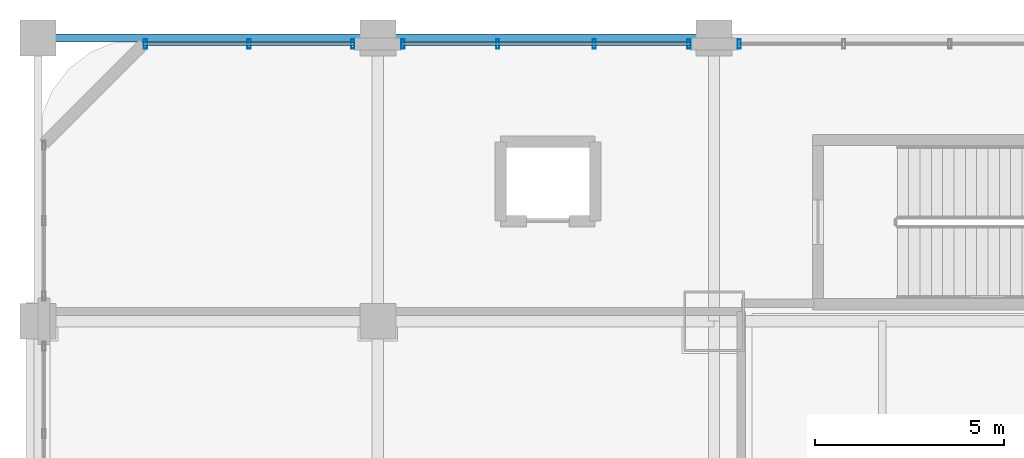
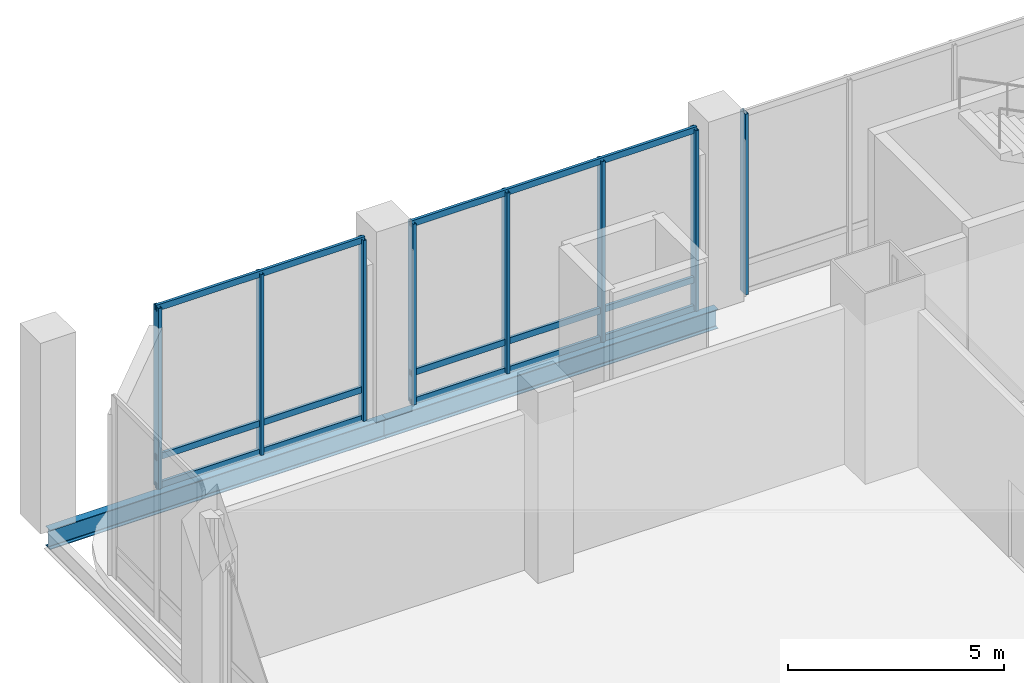
# One storey, part 13 of 39: 14 members, 2 beams, 3 elements without a shape of their own.
"""IFC4 building model written with IfcOpenShell, lengths in metres."""

from ifc_helpers import new_model, si_unit, direction, frame, origin, origin_2d, place, context, subcontext, project, spatial, hollow_rectangle, i_section, extrude, material, material_profile, profile_set, type_object, element, aggregate, save


model = new_model("IFC4")

# Units and contexts
model_context = context("Model", 3, precision=1e-05, world=origin(), true_north=direction((0.0, 1.0)))
body_context = subcontext(model_context, "Body", "Model", "MODEL_VIEW")
ifc_project = project(units=[si_unit("LENGTHUNIT", "METRE"), si_unit("AREAUNIT", "SQUARE_METRE"), si_unit("VOLUMEUNIT", "CUBIC_METRE"), si_unit("PLANEANGLEUNIT", "RADIAN"), si_unit("MASSUNIT", "GRAM", prefix="KILO")], contexts=[model_context])

# Site, building, storey
site_placement = place(None, origin())
site = spatial("IfcSite", under=ifc_project, at=site_placement, CompositionType="ELEMENT")
building_placement = place(site_placement, origin())
building = spatial("IfcBuilding", under=site, at=building_placement, Name="Punatoya Terracotta Tower", CompositionType="ELEMENT")
storey_placement = place(building_placement, frame((0.0, 0.0, 11.39990234375)))
storey = spatial("IfcBuildingStorey", under=building, at=storey_placement, Name="L02", CompositionType="ELEMENT", Elevation=11.39990234375)

# Beams
ifc_material_1 = material(Name="Steel S355", Category="steel")
ifc_material_profile_1 = material_profile(ifc_material_1, i_section(OverallWidth=0.2099609375, OverallDepth=0.550048828125, WebThickness=0.010986328125, FlangeThickness=0.01708984375, FilletRadius=0.01806640625, at=origin_2d()))
ifc_profile_set_1 = profile_set([ifc_material_profile_1], Name="Steel S355")
beam_type = type_object("IfcBeamType", Name="BM-SPN-550", PredefinedType="SPANDREL", material=ifc_profile_set_1)
beam_1_placement = place(storey_placement, frame((-37.0, 25.0, -0.554931640625), z_axis=(1.0, 0.0, 0.0), x_axis=(0.0, 1.0, 0.0)))
element("IfcBeam", 1, at=beam_1_placement, inside=storey, type_object=beam_type, Name="BM-L02-HW1", PredefinedType="SPANDREL", context=body_context, shape_type="SweptSolid", body=[
    extrude(i_section(OverallWidth=0.2099609375, OverallDepth=0.550048828125, WebThickness=0.010986328125, FlangeThickness=0.01708984375, FilletRadius=0.01806640625, at=origin_2d()), origin(), (0.0, 0.0, 1.0), 9.0),
])
beam_2_placement = place(storey_placement, frame((-28.0, 25.0, -0.554931640625), z_axis=(1.0, 0.0, 0.0), x_axis=(0.0, 1.0, 0.0)))
element("IfcBeam", 2, at=beam_2_placement, inside=storey, type_object=beam_type, Name="BM-L02-HW2", PredefinedType="SPANDREL", context=body_context, shape_type="SweptSolid", body=[
    extrude(i_section(OverallWidth=0.2099609375, OverallDepth=0.550048828125, WebThickness=0.010986328125, FlangeThickness=0.01708984375, FilletRadius=0.01806640625, at=origin_2d()), origin(), (0.0, 0.0, 1.0), 8.89990234375),
])

# Curtain wall, members
ifc_material_2 = material(Name="Aluminium 6063-T6 + Double Low-E Glass", Category="aluminium")
curtain_wall_type = type_object("IfcCurtainWallType", Name="CW-POD", PredefinedType="NOTDEFINED", material=ifc_material_2)
curtain_wall_1_placement = place(storey_placement, origin())
curtain_wall_1 = element("IfcCurtainWall", 3, at=curtain_wall_1_placement, inside=storey, type_object=curtain_wall_type, Name="L02 Curtain Wall CWP-L02-N1", PredefinedType="NOTDEFINED")
ifc_material_3 = material(Name="Aluminium 6063-T6", Category="aluminium")
ifc_material_profile_2 = material_profile(ifc_material_3, hollow_rectangle(XDim=0.0849609375, YDim=0.239990234375, WallThickness=0.0048828125, at=origin_2d()))
ifc_profile_set_2 = profile_set([ifc_material_profile_2], Name="Aluminium 6063-T6")
member_type_1 = type_object("IfcMemberType", Name="CW-MUL-POD", PredefinedType="MULLION", material=ifc_profile_set_2)
member_1_placement = place(storey_placement, frame((-28.6650390625, 24.840087890625, 0.0), z_axis=(0.0, 0.0, 1.0), x_axis=(1.0, 0.0, 0.0)))
member_1 = element("IfcMember", 4, at=member_1_placement, type_object=member_type_1, Name="CWP-L02-N1 Mullion 00", PredefinedType="MULLION", context=body_context, shape_type="SweptSolid", body=[
    extrude(hollow_rectangle(XDim=0.0849609375, YDim=0.239990234375, WallThickness=0.0048828125, at=origin_2d()), origin(), (0.0, 0.0, 1.0), 5.1201171875),
])
member_2_placement = place(storey_placement, frame((-31.409912109375, 24.840087890625, 0.0), z_axis=(0.0, 0.0, 1.0), x_axis=(1.0, 0.0, 0.0)))
member_2 = element("IfcMember", 5, at=member_2_placement, type_object=member_type_1, Name="CWP-L02-N1 Mullion 01", PredefinedType="MULLION", context=body_context, shape_type="SweptSolid", body=[
    extrude(hollow_rectangle(XDim=0.0849609375, YDim=0.239990234375, WallThickness=0.0048828125, at=origin_2d()), origin(), (0.0, 0.0, 1.0), 5.1201171875),
])
member_3_placement = place(storey_placement, frame((-34.155029296875, 24.840087890625, 0.0), z_axis=(0.0, 0.0, 1.0), x_axis=(1.0, 0.0, 0.0)))
member_3 = element("IfcMember", 6, at=member_3_placement, type_object=member_type_1, Name="CWP-L02-N1 Mullion 02", PredefinedType="MULLION", context=body_context, shape_type="SweptSolid", body=[
    extrude(hollow_rectangle(XDim=0.0849609375, YDim=0.239990234375, WallThickness=0.0048828125, at=origin_2d()), origin(), (0.0, 0.0, 1.0), 5.1201171875),
])

curtain_wall_2_placement = place(storey_placement, origin())
curtain_wall_2 = element("IfcCurtainWall", 7, at=curtain_wall_2_placement, inside=storey, type_object=curtain_wall_type, Name="L02 Curtain Wall CWP-L02-N2", PredefinedType="NOTDEFINED")
member_4_placement = place(storey_placement, frame((-19.764892578125, 24.840087890625, 0.0), z_axis=(0.0, 0.0, 1.0), x_axis=(1.0, 0.0, 0.0)))
member_4 = element("IfcMember", 8, at=member_4_placement, type_object=member_type_1, Name="CWP-L02-N2 Mullion 00", PredefinedType="MULLION", context=body_context, shape_type="SweptSolid", body=[
    extrude(hollow_rectangle(XDim=0.0849609375, YDim=0.239990234375, WallThickness=0.0048828125, at=origin_2d()), origin(), (0.0, 0.0, 1.0), 5.1201171875),
])
member_5_placement = place(storey_placement, frame((-22.273193359375, 24.840087890625, 0.0), z_axis=(0.0, 0.0, 1.0), x_axis=(1.0, 0.0, 0.0)))
member_5 = element("IfcMember", 9, at=member_5_placement, type_object=member_type_1, Name="CWP-L02-N2 Mullion 01", PredefinedType="MULLION", context=body_context, shape_type="SweptSolid", body=[
    extrude(hollow_rectangle(XDim=0.0849609375, YDim=0.239990234375, WallThickness=0.0048828125, at=origin_2d()), origin(), (0.0, 0.0, 1.0), 5.1201171875),
])
member_6_placement = place(storey_placement, frame((-24.82666015625, 24.840087890625, 0.0), z_axis=(0.0, 0.0, 1.0), x_axis=(1.0, 0.0, 0.0)))
member_6 = element("IfcMember", 10, at=member_6_placement, type_object=member_type_1, Name="CWP-L02-N2 Mullion 02", PredefinedType="MULLION", context=body_context, shape_type="SweptSolid", body=[
    extrude(hollow_rectangle(XDim=0.0849609375, YDim=0.239990234375, WallThickness=0.0048828125, at=origin_2d()), origin(), (0.0, 0.0, 1.0), 5.1201171875),
])
member_7_placement = place(storey_placement, frame((-27.3349609375, 24.840087890625, 0.0), z_axis=(0.0, 0.0, 1.0), x_axis=(1.0, 0.0, 0.0)))
member_7 = element("IfcMember", 11, at=member_7_placement, type_object=member_type_1, Name="CWP-L02-N2 Mullion 03", PredefinedType="MULLION", context=body_context, shape_type="SweptSolid", body=[
    extrude(hollow_rectangle(XDim=0.0849609375, YDim=0.239990234375, WallThickness=0.0048828125, at=origin_2d()), origin(), (0.0, 0.0, 1.0), 5.1201171875),
])

# Curtain wall, member
curtain_wall_3_placement = place(storey_placement, origin())
curtain_wall_3 = element("IfcCurtainWall", 12, at=curtain_wall_3_placement, inside=storey, type_object=curtain_wall_type, Name="L02 Curtain Wall CWP-L02-N3", PredefinedType="NOTDEFINED")
member_8_placement = place(storey_placement, frame((-18.43505859375, 24.840087890625, 0.0), z_axis=(0.0, 0.0, 1.0), x_axis=(1.0, 0.0, 0.0)))
member_8 = element("IfcMember", 13, at=member_8_placement, type_object=member_type_1, Name="CWP-L02-N3 Mullion 05", PredefinedType="MULLION", context=body_context, shape_type="SweptSolid", body=[
    extrude(hollow_rectangle(XDim=0.0849609375, YDim=0.239990234375, WallThickness=0.0048828125, at=origin_2d()), origin(), (0.0, 0.0, 1.0), 5.1201171875),
])
aggregate(curtain_wall_3, [member_8])

# Member
ifc_material_profile_3 = material_profile(ifc_material_3, hollow_rectangle(XDim=0.074951171875, YDim=0.175048828125, WallThickness=0.00439453125, at=origin_2d()))
ifc_profile_set_3 = profile_set([ifc_material_profile_3], Name="Aluminium 6063-T6")
member_type_2 = type_object("IfcMemberType", Name="CW-TRN-POD", PredefinedType="USERDEFINED", material=ifc_profile_set_3)
member_9_placement = place(storey_placement, frame((-28.6201171875, 24.840087890625, 0.0400390625), z_axis=(-1.0, 0.0, 0.0), x_axis=(0.0, -1.0, 0.0)))
member_9 = element("IfcMember", 14, at=member_9_placement, type_object=member_type_2, Name="CWP-L02-N1 Transom 1", ObjectType="TRANSOM", PredefinedType="USERDEFINED", context=body_context, shape_type="SweptSolid", body=[
    extrude(hollow_rectangle(XDim=0.074951171875, YDim=0.175048828125, WallThickness=0.00439453125, at=origin_2d()), origin(), (0.0, 0.0, 1.0), 5.579833984375),
])

member_10_placement = place(storey_placement, frame((-28.6201171875, 24.840087890625, 0.85009765625), z_axis=(-1.0, 0.0, 0.0), x_axis=(0.0, -1.0, 0.0)))
member_10 = element("IfcMember", 15, at=member_10_placement, type_object=member_type_2, Name="CWP-L02-N1 Transom 2", ObjectType="TRANSOM", PredefinedType="USERDEFINED", context=body_context, shape_type="SweptSolid", body=[
    extrude(hollow_rectangle(XDim=0.074951171875, YDim=0.175048828125, WallThickness=0.00439453125, at=origin_2d()), origin(), (0.0, 0.0, 1.0), 5.579833984375),
])

member_11_placement = place(storey_placement, frame((-28.6201171875, 24.840087890625, 5.080078125), z_axis=(-1.0, 0.0, 0.0), x_axis=(0.0, -1.0, 0.0)))
member_11 = element("IfcMember", 16, at=member_11_placement, type_object=member_type_2, Name="CWP-L02-N1 Transom 3", ObjectType="TRANSOM", PredefinedType="USERDEFINED", context=body_context, shape_type="SweptSolid", body=[
    extrude(hollow_rectangle(XDim=0.074951171875, YDim=0.175048828125, WallThickness=0.00439453125, at=origin_2d()), origin(), (0.0, 0.0, 1.0), 5.579833984375),
])

aggregate(curtain_wall_1, [member_1, member_2, member_3, member_9, member_10, member_11])

member_12_placement = place(storey_placement, frame((-19.719970703125, 24.840087890625, 0.0400390625), z_axis=(-1.0, 0.0, 0.0), x_axis=(0.0, -1.0, 0.0)))
member_12 = element("IfcMember", 17, at=member_12_placement, type_object=member_type_2, Name="CWP-L02-N2 Transom 1", ObjectType="TRANSOM", PredefinedType="USERDEFINED", context=body_context, shape_type="SweptSolid", body=[
    extrude(hollow_rectangle(XDim=0.074951171875, YDim=0.175048828125, WallThickness=0.00439453125, at=origin_2d()), origin(), (0.0, 0.0, 1.0), 7.659912109375),
])

member_13_placement = place(storey_placement, frame((-19.719970703125, 24.840087890625, 0.85009765625), z_axis=(-1.0, 0.0, 0.0), x_axis=(0.0, -1.0, 0.0)))
member_13 = element("IfcMember", 18, at=member_13_placement, type_object=member_type_2, Name="CWP-L02-N2 Transom 2", ObjectType="TRANSOM", PredefinedType="USERDEFINED", context=body_context, shape_type="SweptSolid", body=[
    extrude(hollow_rectangle(XDim=0.074951171875, YDim=0.175048828125, WallThickness=0.00439453125, at=origin_2d()), origin(), (0.0, 0.0, 1.0), 7.659912109375),
])

member_14_placement = place(storey_placement, frame((-19.719970703125, 24.840087890625, 5.080078125), z_axis=(-1.0, 0.0, 0.0), x_axis=(0.0, -1.0, 0.0)))
member_14 = element("IfcMember", 19, at=member_14_placement, type_object=member_type_2, Name="CWP-L02-N2 Transom 3", ObjectType="TRANSOM", PredefinedType="USERDEFINED", context=body_context, shape_type="SweptSolid", body=[
    extrude(hollow_rectangle(XDim=0.074951171875, YDim=0.175048828125, WallThickness=0.00439453125, at=origin_2d()), origin(), (0.0, 0.0, 1.0), 7.659912109375),
])

aggregate(curtain_wall_2, [member_4, member_5, member_6, member_7, member_12, member_13, member_14])

save(model, "model.ifc")
